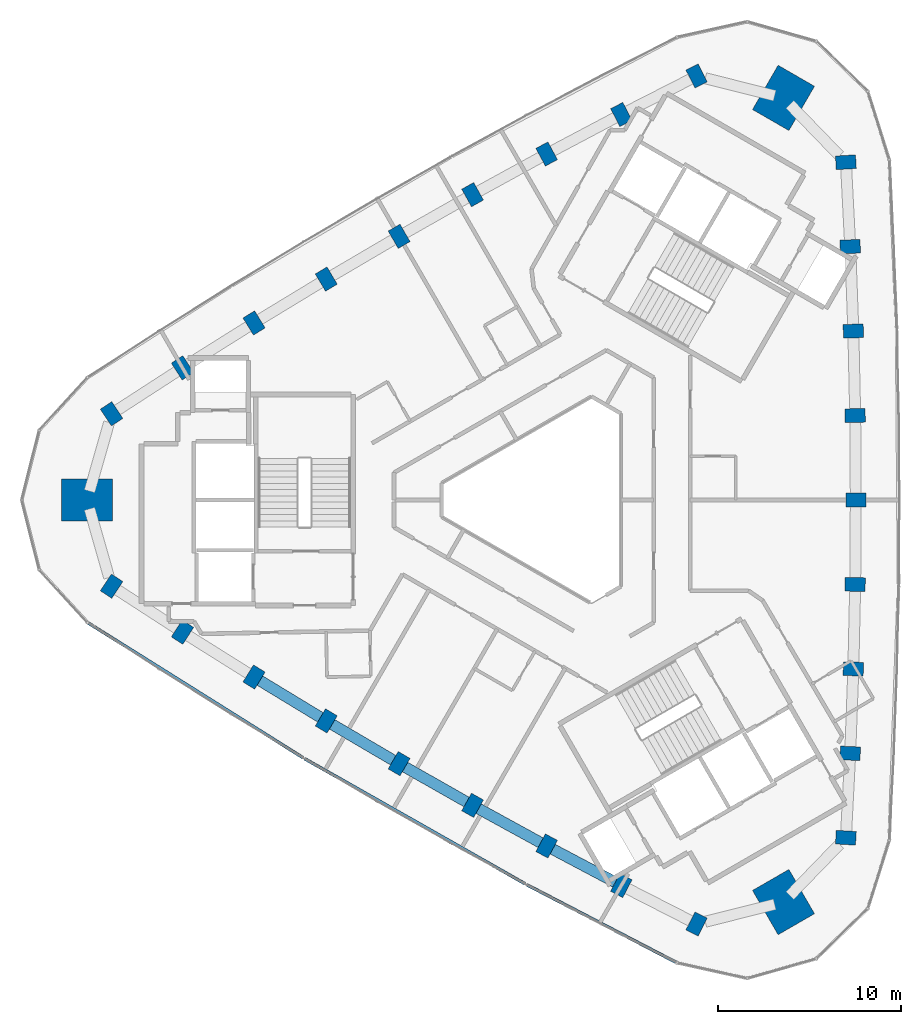
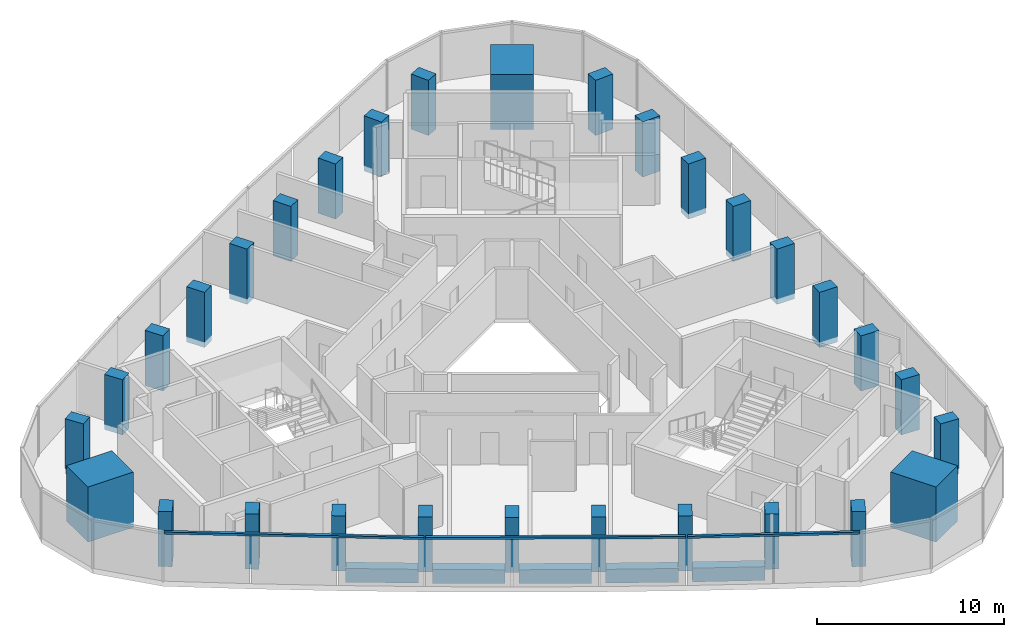
# One storey, part 1 of 11: 30 columns, 5 beams, 3 members, 1 element without a shape of its own.
"""IFC4 building model written with IfcOpenShell, lengths in metres."""

import ifcopenshell
import ifcopenshell.guid

model = None  # the IFC model being written
_history = None  # IfcOwnerHistory: only IFC2X3 demands one
_inside = {}  # id of a spatial element -> (the spatial element, [elements in it])
_under = {}  # id of a project, library or spatial element -> (it, [spatial elements below it])
_declared = {}  # id of a project -> (the project, [libraries it declares])
_typed = {}  # id of a type object -> (the type object, [elements of that type])
_made_of = {}  # id of a material, layer set ... -> (it, [elements and type objects made of it])


def new_model(schema):
    """Start an empty IFC model of exactly this schema.

    Asked for "IFC4X3", IfcOpenShell would pick the latest addendum, in which some entities
    have other attributes; the version numbers below select the first issue.
    IFC2X3 requires an IfcOwnerHistory on every rooted entity: one is made here for all.
    """
    global model, _history
    if schema == "IFC4X3":
        model = ifcopenshell.file(schema_version=(4, 3, 0, 0))
    else:
        model = ifcopenshell.file(schema=schema)
    _inside.clear()
    _under.clear()
    _declared.clear()
    _typed.clear()
    _made_of.clear()
    _history = None
    if model.schema == "IFC2X3":
        org = make("IfcOrganization", Name="unknown")
        user = make(
            "IfcPersonAndOrganization",
            ThePerson=make("IfcPerson", FamilyName="unknown"),
            TheOrganization=org,
        )
        app = make(
            "IfcApplication",
            ApplicationDeveloper=org,
            Version="unknown",
            ApplicationFullName="unknown",
            ApplicationIdentifier="unknown",
        )
        _history = make(
            "IfcOwnerHistory",
            OwningUser=user,
            OwningApplication=app,
            ChangeAction="ADDED",
            CreationDate=0,
        )
    return model


def make(cls, **values):
    """One entity of the class cls with the attributes given. An attribute that is None is left unset."""
    return model.create_entity(
        cls, **{name: value for name, value in values.items() if value is not None}
    )


def rooted(cls, **values):
    """An entity with a GlobalId (a new one), such as an element, a storey or a relation."""
    return make(cls, GlobalId=ifcopenshell.guid.new(), OwnerHistory=_history, **values)


def si_unit(unit_type, name, prefix=None):
    """IfcSIUnit, for example si_unit("LENGTHUNIT", "METRE", prefix="MILLI")."""
    return make("IfcSIUnit", UnitType=unit_type, Prefix=prefix, Name=name)


def assignment(units):
    """IfcUnitAssignment: the units of a project."""
    return None if units is None else make("IfcUnitAssignment", Units=units)


def point(xyz):
    """IfcCartesianPoint."""
    return None if xyz is None else make("IfcCartesianPoint", Coordinates=xyz)


def direction(xyz):
    """IfcDirection."""
    return None if xyz is None else make("IfcDirection", DirectionRatios=xyz)


def frame(location, z_axis=None, x_axis=None):
    """IfcAxis2Placement3D, a coordinate frame: its origin and axes. An axis left out is left unset."""
    return make(
        "IfcAxis2Placement3D",
        Location=point(location),
        Axis=direction(z_axis),
        RefDirection=direction(x_axis),
    )


def frame_2d(location, x_axis=None):
    """IfcAxis2Placement2D, a coordinate frame in the plane: its origin and x axis."""
    return make(
        "IfcAxis2Placement2D", Location=point(location), RefDirection=direction(x_axis)
    )


def origin():
    """The frame at (0, 0, 0) with its axes left unset."""
    return frame((0.0, 0.0, 0.0))


def origin_2d():
    """The frame at (0, 0) in the plane with its x axis left unset."""
    return frame_2d((0.0, 0.0))


def place(relative_to, where):
    """IfcLocalPlacement: puts the frame where relative to a parent placement (None: the world)."""
    return make(
        "IfcLocalPlacement", PlacementRelTo=relative_to, RelativePlacement=where
    )


def context(
    kind, dimensions, precision=None, world=None, true_north=None, identifier=None
):
    """IfcGeometricRepresentationContext, for example the 3D "Model" context."""
    return make(
        "IfcGeometricRepresentationContext",
        ContextIdentifier=identifier,
        ContextType=kind,
        CoordinateSpaceDimension=dimensions,
        Precision=precision,
        WorldCoordinateSystem=world,
        TrueNorth=true_north,
    )


def subcontext(parent, identifier, kind, view, scale=None):
    """IfcGeometricRepresentationSubContext, for example "Body" below "Model"."""
    return make(
        "IfcGeometricRepresentationSubContext",
        ContextIdentifier=identifier,
        ContextType=kind,
        ParentContext=parent,
        TargetScale=scale,
        TargetView=view,
    )


def project(units=None, contexts=None):
    """IfcProject with its units and contexts."""
    return rooted(
        "IfcProject",
        Name="project",
        RepresentationContexts=contexts,
        UnitsInContext=assignment(units),
    )


def spatial(cls, under=None, at=None, **own):
    """A site, building, storey or space (cls), placed at a placement, below another one or the project."""
    s = rooted(cls, ObjectPlacement=at, **own)
    if under is not None:
        _under.setdefault(under.id(), (under, []))[1].append(s)
    return s


def profile(cls, at=None, kind="AREA", **sizes):
    """A parametric profile (cls). Its sizes go by their IFC names, for example OverallWidth=200.0."""
    return make(cls, ProfileType=kind, Position=at, **sizes)


def rectangle(**sizes):
    """IfcRectangleProfileDef."""
    return profile("IfcRectangleProfileDef", **sizes)


def extrude(swept, where, along, depth):
    """IfcExtrudedAreaSolid: the profile swept, set in the frame where, extruded along a direction by depth."""
    return make(
        "IfcExtrudedAreaSolid",
        SweptArea=swept,
        Position=where,
        ExtrudedDirection=direction(along),
        Depth=depth,
    )


def shape(context_of_items, identifier, shape_type, items):
    """IfcShapeRepresentation: the items that make up one representation, for example the "Body"."""
    return make(
        "IfcShapeRepresentation",
        ContextOfItems=context_of_items,
        RepresentationIdentifier=identifier,
        RepresentationType=shape_type,
        Items=items,
    )


def material(Name=None, Category=None):
    """IfcMaterial."""
    return make("IfcMaterial", Name=Name, Category=Category)


def material_profile(
    of_material, cross_section, Name=None, Category=None, Priority=None
):
    """IfcMaterialProfile: a cross section and its material."""
    return make(
        "IfcMaterialProfile",
        Name=Name,
        Material=of_material,
        Profile=cross_section,
        Priority=Priority,
        Category=Category,
    )


def profile_set(profiles, Name=None, composite=None):
    """IfcMaterialProfileSet."""
    return make(
        "IfcMaterialProfileSet",
        Name=Name,
        MaterialProfiles=profiles,
        CompositeProfile=composite,
    )


def made_of(thing, what):
    """Note that an element or type object is made of a material, layer set ...; save() writes the relation."""
    if what is not None:
        _made_of.setdefault(what.id(), (what, []))[1].append(thing)
    return thing


def type_object(cls, material=None, **own):
    """A type object (cls), such as IfcWallType, which elements share."""
    return made_of(rooted(cls, **own), material)


def element(
    cls,
    number,
    at=None,
    inside=None,
    cuts=None,
    type_object=None,
    material=None,
    context=None,
    identifier="Body",
    shape_type=None,
    held_by="IfcProductDefinitionShape",
    body=None,
    shapes=None,
    **own,
):
    """One element of the class cls, such as IfcWall. Its Tag is "e" and its number.

    at: its placement. inside: the storey or other place that contains it. cuts: it is an
    opening in that element (IfcRelVoidsElement). A single representation is given by context,
    identifier, shape_type and body (its items); several are given by shapes. held_by: the class
    of the entity that holds the representations. save() writes the other relations.
    """
    e = rooted(cls, Tag="e%d" % number, ObjectPlacement=at, **own)
    if body is not None:
        shapes = [shape(context, identifier, shape_type, body)]
    if shapes is not None:
        e.Representation = make(held_by, Representations=shapes)
    if inside is not None:
        _inside.setdefault(inside.id(), (inside, []))[1].append(e)
    if cuts is not None:
        rooted(
            "IfcRelVoidsElement", RelatingBuildingElement=cuts, RelatedOpeningElement=e
        )
    if type_object is not None:
        _typed.setdefault(type_object.id(), (type_object, []))[1].append(e)
    return made_of(e, material)


def aggregate(whole, parts):
    """IfcRelAggregates: a whole, such as a stair, and the parts it consists of."""
    return rooted("IfcRelAggregates", RelatingObject=whole, RelatedObjects=parts)


def save(model, path):
    """Write the relations noted so far, then the file.

    IfcRelAggregates (storeys below a building ...), IfcRelContainedInSpatialStructure (elements
    in a storey), IfcRelDefinesByType, IfcRelAssociatesMaterial and IfcRelDeclares: one each for
    every whole, place, type object, material and project.
    """
    for whole, parts in _under.values():
        aggregate(whole, parts)
    for where, things in _inside.values():
        rooted(
            "IfcRelContainedInSpatialStructure",
            RelatedElements=things,
            RelatingStructure=where,
        )
    for kind, things in _typed.values():
        rooted("IfcRelDefinesByType", RelatedObjects=things, RelatingType=kind)
    for what, things in _made_of.values():
        rooted("IfcRelAssociatesMaterial", RelatedObjects=things, RelatingMaterial=what)
    for by, libraries in _declared.values():
        rooted("IfcRelDeclares", RelatingContext=by, RelatedDefinitions=libraries)
    model.write(path)


model = new_model("IFC4")

# Units and contexts
model_context = context("Model", 3, precision=1e-05, world=origin(), true_north=direction((0.0, 1.0)))
body_context = subcontext(model_context, "Body", "Model", "MODEL_VIEW")
ifc_project = project(units=[si_unit("LENGTHUNIT", "METRE"), si_unit("AREAUNIT", "SQUARE_METRE"), si_unit("VOLUMEUNIT", "CUBIC_METRE"), si_unit("PLANEANGLEUNIT", "RADIAN"), si_unit("MASSUNIT", "GRAM", prefix="KILO")], contexts=[model_context])

# Site, building, storey
site_placement = place(None, origin())
site = spatial("IfcSite", under=ifc_project, at=site_placement, CompositionType="ELEMENT")
building_placement = place(site_placement, origin())
building = spatial("IfcBuilding", under=site, at=building_placement, Name="Tamra Quay Hotel Tower", CompositionType="ELEMENT")
storey_placement = place(building_placement, frame((0.0, 0.0, 235.800048828125)))
storey = spatial("IfcBuildingStorey", under=building, at=storey_placement, Name="L59", CompositionType="ELEMENT", Elevation=235.800048828125)

# Columns
ifc_material_1 = material(Name="Concrete M70", Category="concrete")
ifc_material_profile_1 = material_profile(ifc_material_1, rectangle(XDim=1.10009765625, YDim=0.75, at=origin_2d()), Name="COLUMN RC 750x1100 Z5")
ifc_profile_set_1 = profile_set([ifc_material_profile_1], Name="Concrete M70")
column_type_1 = type_object("IfcColumnType", Name="COLUMN RC 750x1100 Z5", PredefinedType="COLUMN", material=ifc_profile_set_1)
for number, where, z_axis, x_axis, name in (
    (1, (16.12548828125, -18.490966796875, -0.35009765625), (0.0, 0.0, 1.0), (-0.998292120165, 0.05841954139, 0.0), "COL-C5E01-L59"),
    (2, (16.36328125, -13.87158203125, -0.35009765625), (0.0, 0.0, 1.0), (-0.999033395056, 0.043957656467, 0.0), "COL-C5E02-L59"),
    (3, (16.533203125, -9.24951171875, -0.35009765625), (0.0, 0.0, 1.0), (-0.999578606696, 0.029027728727, 0.0), "COL-C5E03-L59"),
    (4, (16.63525390625, -4.625, -0.35009765625), (0.0, 0.0, 1.0), (-0.999888113, 0.014958659101, 0.0), "COL-C5E04-L59"),
    (5, (16.66943359375, 0.0, -0.35009765625), (0.0, 0.0, 1.0), (1.0, 0.0, 0.0), "COL-C5E05-L59"),
    (6, (16.63525390625, 4.625, -0.35009765625), (0.0, 0.0, 1.0), (0.999888113, 0.014958659101, 0.0), "COL-C5E06-L59"),
    (7, (16.533203125, 9.24951171875, -0.35009765625), (0.0, 0.0, 1.0), (0.999578606696, 0.029027728727, 0.0), "COL-C5E07-L59"),
    (8, (16.36328125, 13.87158203125, -0.35009765625), (0.0, 0.0, 1.0), (0.999033395056, 0.043957656467, 0.0), "COL-C5E08-L59"),
    (9, (16.12548828125, 18.490966796875, -0.35009765625), (0.0, 0.0, 1.0), (0.998292120165, 0.05841954139, 0.0), "COL-C5E09-L59"),
    (10, (7.950927734375, 23.210693359375, -0.35009765625), (0.0, 0.0, 1.0), (-0.448553253162, 0.893756107156, 0.0), "COL-C5NW01-L59"),
    (11, (3.83154296875, 21.10693359375, -0.35009765625), (0.0, 0.0, 1.0), (-0.461448250337, 0.887167127581, 0.0), "COL-C5NW02-L59"),
    (12, (-0.25634765625, 18.943115234375, -0.35009765625), (0.0, 0.0, 1.0), (-0.474650552857, 0.880174330842, 0.0), "COL-C5NW03-L59"),
    (13, (-4.312255859375, 16.718994140625, -0.35009765625), (0.0, 0.0, 1.0), (-0.486989477712, 0.87340783635, 0.0), "COL-C5NW04-L59"),
    (14, (-8.334716796875, 14.43603515625, -0.35009765625), (0.0, 0.0, 1.0), (-0.5, 0.866025403784, 0.0), "COL-C5NW05-L59"),
    (15, (-12.322998046875, 12.093994140625, -0.35009765625), (0.0, 0.0, 1.0), (-0.512898635288, 0.858449177249, 0.0), "COL-C5NW06-L59"),
    (16, (-16.277099609375, 9.693359375, -0.35009765625), (0.0, 0.0, 1.0), (-0.52492805384, 0.851146602115, 0.0), "COL-C5NW07-L59"),
    (17, (-20.19482421875, 7.235107421875, -0.35009765625), (0.0, 0.0, 1.0), (-0.537585144719, 0.843209471114, 0.0), "COL-C5NW08-L59"),
    (18, (-24.076416015625, 4.7197265625, -0.35009765625), (0.0, 0.0, 1.0), (-0.549738867003, 0.835336565766, 0.0), "COL-C5NW09-L59"),
    (19, (-24.076416015625, -4.7197265625, -0.35009765625), (0.0, 0.0, 1.0), (0.549738867003, 0.835336565766, 0.0), "COL-C5SW01-L59"),
    (20, (-20.19482421875, -7.235107421875, -0.35009765625), (0.0, 0.0, 1.0), (0.537585144719, 0.843209471114, 0.0), "COL-C5SW02-L59"),
    (21, (-16.277099609375, -9.693359375, -0.35009765625), (0.0, 0.0, 1.0), (0.52492805384, 0.851146602115, 0.0), "COL-C5SW03-L59"),
    (22, (-12.322998046875, -12.093994140625, -0.35009765625), (0.0, 0.0, 1.0), (0.512898635288, 0.858449177249, 0.0), "COL-C5SW04-L59"),
    (23, (-8.334716796875, -14.43603515625, -0.35009765625), (0.0, 0.0, 1.0), (0.5, 0.866025403784, 0.0), "COL-C5SW05-L59"),
    (24, (-4.312255859375, -16.718994140625, -0.35009765625), (0.0, 0.0, 1.0), (0.486989477712, 0.87340783635, 0.0), "COL-C5SW06-L59"),
    (25, (-0.25634765625, -18.943115234375, -0.35009765625), (0.0, 0.0, 1.0), (0.474650552857, 0.880174330842, 0.0), "COL-C5SW07-L59"),
    (26, (3.83154296875, -21.10693359375, -0.35009765625), (0.0, 0.0, 1.0), (0.461448250337, 0.887167127581, 0.0), "COL-C5SW08-L59"),
    (27, (7.950927734375, -23.210693359375, -0.35009765625), (0.0, 0.0, 1.0), (0.448553253162, 0.893756107156, 0.0), "COL-C5SW09-L59"),
):
    element("IfcColumn", number, at=place(storey_placement, frame(where, z_axis=z_axis, x_axis=x_axis)), inside=storey, type_object=column_type_1, Name=name, PredefinedType="COLUMN", context=body_context, shape_type="SweptSolid", body=[
        extrude(rectangle(XDim=1.10009765625, YDim=0.75, at=origin_2d()), origin(), (0.0, 0.0, 1.0), 3.60009765625),
    ])
ifc_material_profile_2 = material_profile(ifc_material_1, rectangle(XDim=2.800048828125, YDim=2.300048828125, at=origin_2d()), Name="MEGA COLUMN RC 2300x2800 Z5")
ifc_profile_set_2 = profile_set([ifc_material_profile_2], Name="Concrete M70")
column_type_2 = type_object("IfcColumnType", Name="MEGA COLUMN RC 2300x2800 Z5", PredefinedType="COLUMN", material=ifc_profile_set_2)
for number, where, z_axis, x_axis, name in (
    (28, (12.710205078125, 22.0146484375, -0.35009765625), (0.0, 0.0, 1.0), (0.5, 0.866025403784, 0.0), "COL-M5NE-L59"),
    (29, (-25.42041015625, 0.0, -0.35009765625), (0.0, 0.0, 1.0), (1.0, 0.0, 0.0), "COL-M5W-L59"),
    (30, (12.710205078125, -22.0146484375, -0.35009765625), (0.0, 0.0, 1.0), (-0.5, 0.866025403784, 0.0), "COL-M5SE-L59"),
):
    element("IfcColumn", number, at=place(storey_placement, frame(where, z_axis=z_axis, x_axis=x_axis)), inside=storey, type_object=column_type_2, Name=name, PredefinedType="COLUMN", context=body_context, shape_type="SweptSolid", body=[
        extrude(rectangle(XDim=2.800048828125, YDim=2.300048828125, at=origin_2d()), origin(), (0.0, 0.0, 1.0), 3.60009765625),
    ])

# Beams
ifc_material_2 = material(Name="Concrete M60", Category="concrete")
ifc_material_profile_3 = material_profile(ifc_material_2, rectangle(XDim=0.60009765625, YDim=0.89990234375, at=origin_2d()), Name="SPANDREL BEAM RC 600x900")
ifc_profile_set_3 = profile_set([ifc_material_profile_3], Name="Concrete M60")
beam_type = type_object("IfcBeamType", Name="SPANDREL BEAM RC 600x900", PredefinedType="SPANDREL", material=ifc_profile_set_3)
beam_1_placement = place(storey_placement, frame((-15.95654296875, -9.887939453125, -0.800048828125), z_axis=(0.854785519234, -0.518981421737, 0.0), x_axis=(0.518981421737, 0.854785519234, 0.0)))
element("IfcBeam", 31, at=beam_1_placement, inside=storey, type_object=beam_type, Name="BM-SP5-022-L59", PredefinedType="SPANDREL", context=body_context, shape_type="SweptSolid", body=[
    extrude(rectangle(XDim=0.60009765625, YDim=0.89990234375, at=origin_2d()), origin(), (0.0, 0.0, 1.0), 3.875732421875),
])
beam_2_placement = place(storey_placement, frame((-11.999755859375, -12.283935546875, -0.800048828125), z_axis=(0.862324287816, -0.506356418585, 0.0), x_axis=(0.506356418585, 0.862324287816, 0.0)))
element("IfcBeam", 32, at=beam_2_placement, inside=storey, type_object=beam_type, Name="BM-SP5-023-L59", PredefinedType="SPANDREL", context=body_context, shape_type="SweptSolid", body=[
    extrude(rectangle(XDim=0.60009765625, YDim=0.89990234375, at=origin_2d()), origin(), (0.0, 0.0, 1.0), 3.875),
])
beam_3_placement = place(storey_placement, frame((-8.008544921875, -14.62109375, -0.800048828125), z_axis=(0.86967787455, -0.493619686113, 0.0), x_axis=(0.493619686113, 0.86967787455, 0.0)))
element("IfcBeam", 33, at=beam_3_placement, inside=storey, type_object=beam_type, Name="BM-SP5-024-L59", PredefinedType="SPANDREL", context=body_context, shape_type="SweptSolid", body=[
    extrude(rectangle(XDim=0.60009765625, YDim=0.89990234375, at=origin_2d()), origin(), (0.0, 0.0, 1.0), 3.875244140625),
])
beam_4_placement = place(storey_placement, frame((-3.9833984375, -16.8994140625, -0.800048828125), z_axis=(0.876838966376, -0.480784179279, 0.0), x_axis=(0.480784179279, 0.876838966376, 0.0)))
element("IfcBeam", 34, at=beam_4_placement, inside=storey, type_object=beam_type, Name="BM-SP5-025-L59", PredefinedType="SPANDREL", context=body_context, shape_type="SweptSolid", body=[
    extrude(rectangle(XDim=0.60009765625, YDim=0.89990234375, at=origin_2d()), origin(), (0.0, 0.0, 1.0), 3.87548828125),
])
beam_5_placement = place(storey_placement, frame((0.0751953125, -19.118408203125, -0.800048828125), z_axis=(0.883803240878, -0.467858772937, 0.0), x_axis=(0.467858772937, 0.883803240878, 0.0)))
element("IfcBeam", 35, at=beam_5_placement, inside=storey, type_object=beam_type, Name="BM-SP5-026-L59", PredefinedType="SPANDREL", context=body_context, shape_type="SweptSolid", body=[
    extrude(rectangle(XDim=0.60009765625, YDim=0.89990234375, at=origin_2d()), origin(), (0.0, 0.0, 1.0), 3.875),
])

# Curtain wall, members
ifc_material_3 = material(Name="Aluminium 6063 anodised dark grey", Category="aluminium")
curtain_wall_type = type_object("IfcCurtainWallType", Name="CW3 CURTAIN WALL", PredefinedType="NOTDEFINED", material=ifc_material_3)
curtain_wall_placement = place(storey_placement, origin())
curtain_wall = element("IfcCurtainWall", 36, at=curtain_wall_placement, inside=storey, type_object=curtain_wall_type, Name="CW3 south-west face L59", PredefinedType="NOTDEFINED")
ifc_material_profile_4 = material_profile(ifc_material_3, rectangle(XDim=0.169921875, YDim=0.139892578125, at=origin_2d()), Name="TRANSOM 170X140")
ifc_profile_set_4 = profile_set([ifc_material_profile_4], Name="Aluminium 6063 anodised dark grey")
member_type = type_object("IfcMemberType", Name="TRANSOM CW3 Z5", PredefinedType="USERDEFINED", material=ifc_profile_set_4)
member_1_placement = place(storey_placement, frame((-25.345947265625, -6.73974609375, 3.179931640625), z_axis=(0.847071037392, -0.531479686923, 0.0), x_axis=(0.531479686923, 0.847071037392, 0.0)))
member_1 = element("IfcMember", 37, at=member_1_placement, type_object=member_type, Name="CW3 transom L59.SW.1", ObjectType="TRANSOM", PredefinedType="USERDEFINED", context=body_context, shape_type="SweptSolid", body=[
    extrude(rectangle(XDim=0.169921875, YDim=0.139892578125, at=origin_2d()), origin(), (0.0, 0.0, 1.0), 13.879150390625),
])
member_2_placement = place(storey_placement, frame((-13.503662109375, -14.16748046875, 3.179931640625), z_axis=(0.869680201003, -0.493615587257, 0.0), x_axis=(0.493615587257, 0.869680201003, 0.0)))
member_2 = element("IfcMember", 38, at=member_2_placement, type_object=member_type, Name="CW3 transom L59.SW.4", ObjectType="TRANSOM", PredefinedType="USERDEFINED", context=body_context, shape_type="SweptSolid", body=[
    extrude(rectangle(XDim=0.169921875, YDim=0.139892578125, at=origin_2d()), origin(), (0.0, 0.0, 1.0), 13.8798828125),
])
member_3_placement = place(storey_placement, frame((-1.344482421875, -21.06640625, 3.179931640625), z_axis=(0.887229373017, -0.461328559332, 0.0), x_axis=(0.461328559332, 0.887229373017, 0.0)))
member_3 = element("IfcMember", 39, at=member_3_placement, type_object=member_type, Name="CW3 transom L59.SW.7", ObjectType="TRANSOM", PredefinedType="USERDEFINED", context=body_context, shape_type="SweptSolid", body=[
    extrude(rectangle(XDim=0.169921875, YDim=0.139892578125, at=origin_2d()), origin(), (0.0, 0.0, 1.0), 9.220458984375),
])
aggregate(curtain_wall, [member_1, member_2, member_3])

save(model, "model.ifc")
